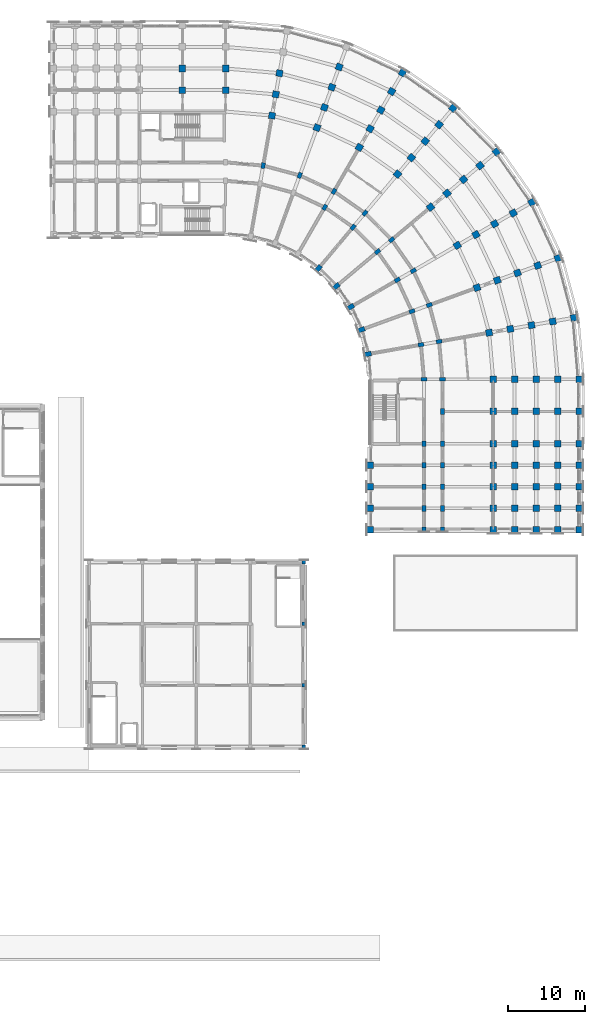
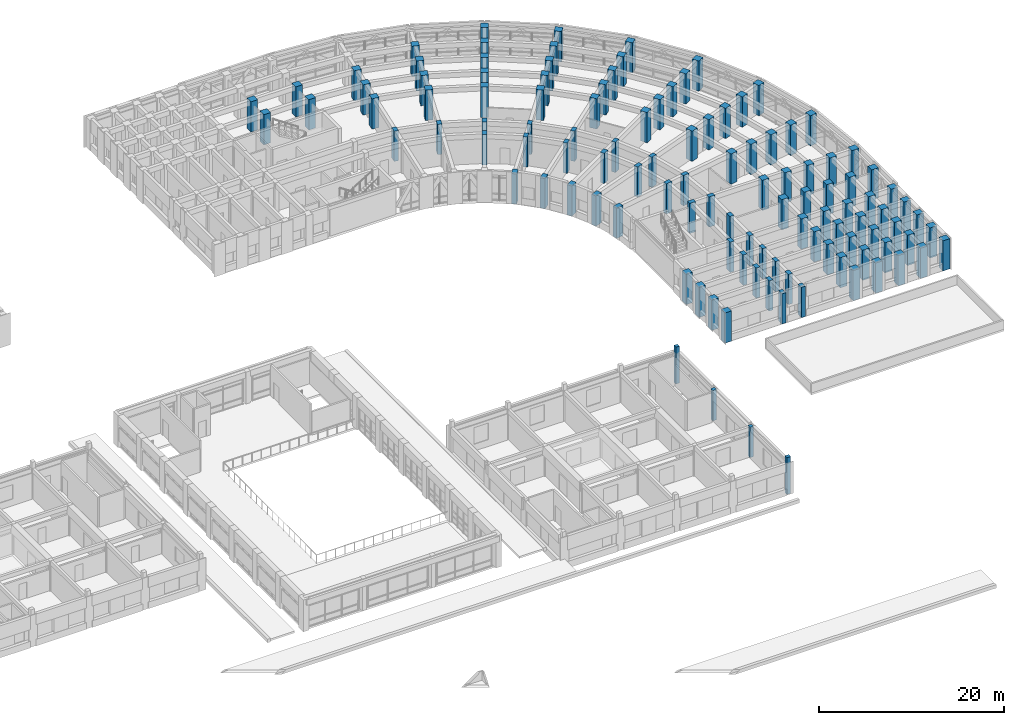
# One storey, part 3 of 97: 116 columns.
"""IFC4 building model written with IfcOpenShell, lengths in metres."""

from ifc_helpers import new_model, si_unit, direction, frame, origin, origin_2d, place, context, subcontext, project, spatial, rectangle, extrude, material, material_profile, profile_set, type_object, element, save


model = new_model("IFC4")

# Units and contexts
model_context = context("Model", 3, precision=1e-05, world=origin(), true_north=direction((0.0, 1.0)))
body_context = subcontext(model_context, "Body", "Model", "MODEL_VIEW")
ifc_project = project(units=[si_unit("LENGTHUNIT", "METRE"), si_unit("AREAUNIT", "SQUARE_METRE"), si_unit("VOLUMEUNIT", "CUBIC_METRE"), si_unit("PLANEANGLEUNIT", "RADIAN"), si_unit("MASSUNIT", "GRAM", prefix="KILO")], contexts=[model_context])

# Site, building, storey
site_placement = place(None, origin())
site = spatial("IfcSite", under=ifc_project, at=site_placement, CompositionType="ELEMENT")
building_placement = place(site_placement, origin())
building = spatial("IfcBuilding", under=site, at=building_placement, Name="Kiranvali Square Residences", CompositionType="ELEMENT")
storey_placement = place(building_placement, frame((0.0, 0.0, 4.5)))
storey = spatial("IfcBuildingStorey", under=building, at=storey_placement, Name="L01", CompositionType="ELEMENT", Elevation=4.5)

# Columns
ifc_material_1 = material(Name="Concrete M40 (40 MPa)", Category="concrete")
ifc_material_profile_1 = material_profile(ifc_material_1, rectangle(XDim=0.449951171875, YDim=0.449951171875, at=origin_2d()), Name="RC 450x450")
ifc_profile_set_1 = profile_set([ifc_material_profile_1], Name="Concrete M40 (40 MPa)")
column_type_1 = type_object("IfcColumnType", Name="COL-M40-450", PredefinedType="COLUMN", material=ifc_profile_set_1)
column_1_placement = place(storey_placement, frame((130.0, 40.0, 0.0), z_axis=(0.0, 0.0, 1.0), x_axis=(1.0, 0.0, 0.0)))
element("IfcColumn", 1, at=column_1_placement, inside=storey, type_object=column_type_1, Name="Southeast Square Retail Pavilion L01 column 4-0", PredefinedType="COLUMN", context=body_context, shape_type="SweptSolid", body=[
    extrude(rectangle(XDim=0.449951171875, YDim=0.449951171875, at=origin_2d()), origin(), (0.0, 0.0, 1.0), 4.85009765625),
])
for number, where, z_axis, x_axis, name in (
    (2, (130.0, 48.0, 0.0), (0.0, 0.0, 1.0), (1.0, 0.0, 0.0), "Southeast Square Retail Pavilion L01 column 4-1"),
    (3, (130.0, 56.0, 0.0), (0.0, 0.0, 1.0), (1.0, 0.0, 0.0), "Southeast Square Retail Pavilion L01 column 4-2"),
):
    element("IfcColumn", number, at=place(storey_placement, frame(where, z_axis=z_axis, x_axis=x_axis)), inside=storey, type_object=column_type_1, Name=name, PredefinedType="COLUMN", context=body_context, shape_type="SweptSolid", body=[
        extrude(rectangle(XDim=0.449951171875, YDim=0.449951171875, at=origin_2d()), origin(), (0.0, 0.0, 1.0), 4.0),
    ])
column_2_placement = place(storey_placement, frame((130.0, 64.0, 0.0), z_axis=(0.0, 0.0, 1.0), x_axis=(1.0, 0.0, 0.0)))
element("IfcColumn", 4, at=column_2_placement, inside=storey, type_object=column_type_1, Name="Southeast Square Retail Pavilion L01 column 4-3", PredefinedType="COLUMN", context=body_context, shape_type="SweptSolid", body=[
    extrude(rectangle(XDim=0.449951171875, YDim=0.449951171875, at=origin_2d()), origin(), (0.0, 0.0, 1.0), 4.85009765625),
])
ifc_material_2 = material(Name="Concrete M45 (45 MPa)", Category="concrete")
ifc_material_profile_2 = material_profile(ifc_material_2, rectangle(XDim=0.5, YDim=0.75, at=origin_2d()), Name="RC 750x500")
ifc_profile_set_2 = profile_set([ifc_material_profile_2], Name="Concrete M45 (45 MPa)")
column_type_2 = type_object("IfcColumnType", Name="COL-M45-750x500", PredefinedType="COLUMN", material=ifc_profile_set_2)
for number, where, z_axis, x_axis, name in (
    (5, (124.69677734375, 115.571533203125, 0.0), (0.0, 0.0, 1.0), (-0.984807753012, 0.173648177667, 0.0), "Block B L01 radial column A01-R2"),
    (6, (129.445068359375, 114.29931640625, 0.0), (0.0, 0.0, 1.0), (-0.939692620786, 0.342020143326, 0.0), "Block B L01 radial column A02-R2"),
    (7, (132.699951171875, 110.1435546875, 0.0), (0.0, 0.0, 1.0), (-0.866025403784, 0.5, 0.0), "Block B L01 radial column A03-R1"),
    (8, (133.89990234375, 112.221923828125, 0.0), (0.0, 0.0, 1.0), (-0.866025403784, 0.5, 0.0), "Block B L01 radial column A03-R2"),
    (9, (136.384033203125, 107.56396484375, 0.0), (0.0, 0.0, 1.0), (-0.766044443119, 0.642787609687, 0.0), "Block B L01 radial column A04-R1"),
    (10, (137.926513671875, 109.40234375, 0.0), (0.0, 0.0, 1.0), (-0.766044443119, 0.642787609687, 0.0), "Block B L01 radial column A04-R2"),
    (11, (139.56396484375, 104.384033203125, 0.0), (0.0, 0.0, 1.0), (-0.642787609687, 0.766044443119, 0.0), "Block B L01 radial column A05-R1"),
    (12, (141.40234375, 105.926513671875, 0.0), (0.0, 0.0, 1.0), (-0.642787609687, 0.766044443119, 0.0), "Block B L01 radial column A05-R2"),
    (13, (142.1435546875, 100.699951171875, 0.0), (0.0, 0.0, 1.0), (-0.5, 0.866025403784, 0.0), "Block B L01 radial column A06-R1"),
    (14, (144.221923828125, 101.89990234375, 0.0), (0.0, 0.0, 1.0), (-0.5, 0.866025403784, 0.0), "Block B L01 radial column A06-R2"),
    (15, (144.044189453125, 96.6240234375, 0.0), (0.0, 0.0, 1.0), (-0.342020143326, 0.939692620786, 0.0), "Block B L01 radial column A07-R1"),
    (16, (146.29931640625, 97.445068359375, 0.0), (0.0, 0.0, 1.0), (-0.342020143326, 0.939692620786, 0.0), "Block B L01 radial column A07-R2"),
    (17, (145.2080078125, 92.280029296875, 0.0), (0.0, 0.0, 1.0), (-0.173648177667, 0.984807753012, 0.0), "Block B L01 radial column A08-R1"),
    (18, (147.571533203125, 92.69677734375, 0.0), (0.0, 0.0, 1.0), (-0.173648177667, 0.984807753012, 0.0), "Block B L01 radial column A08-R2"),
    (19, (145.60009765625, 87.800048828125, 0.0), (0.0, 0.0, 1.0), (0.0, 1.0, 0.0), "Block B L01 radial column A09-R1"),
    (20, (148.0, 87.800048828125, 0.0), (0.0, 0.0, 1.0), (0.0, 1.0, 0.0), "Block B L01 radial column A09-R2"),
    (21, (148.0, 83.60009765625, 0.0), (0.0, 0.0, 1.0), (1.0, 0.0, 0.0), "Block B L01 Arm 2 mid-core column V0-R2"),
    (22, (145.60009765625, 79.39990234375, 0.0), (0.0, 0.0, 1.0), (1.0, 0.0, 0.0), "Block B L01 Arm 2 column V1-R1"),
    (23, (148.0, 79.39990234375, 0.0), (0.0, 0.0, 1.0), (1.0, 0.0, 0.0), "Block B L01 Arm 2 column V1-R2"),
    (24, (145.60009765625, 76.60009765625, 0.0), (0.0, 0.0, 1.0), (1.0, 0.0, 0.0), "Block B L01 Arm 2 column V2-R1"),
    (25, (148.0, 76.60009765625, 0.0), (0.0, 0.0, 1.0), (1.0, 0.0, 0.0), "Block B L01 Arm 2 column V2-R2"),
    (26, (145.60009765625, 73.800048828125, 0.0), (0.0, 0.0, 1.0), (1.0, 0.0, 0.0), "Block B L01 Arm 2 column V3-R1"),
    (27, (148.0, 73.800048828125, 0.0), (0.0, 0.0, 1.0), (1.0, 0.0, 0.0), "Block B L01 Arm 2 column V3-R2"),
    (28, (145.60009765625, 71.0, 0.0), (0.0, 0.0, 1.0), (1.0, 0.0, 0.0), "Block B L01 Arm 2 column V4-R1"),
    (29, (148.0, 71.0, 0.0), (0.0, 0.0, 1.0), (1.0, 0.0, 0.0), "Block B L01 Arm 2 column V4-R2"),
    (30, (145.60009765625, 68.199951171875, 0.0), (0.0, 0.0, 1.0), (1.0, 0.0, 0.0), "Block B L01 Arm 2 column V5-R1"),
    (31, (148.0, 68.199951171875, 0.0), (0.0, 0.0, 1.0), (1.0, 0.0, 0.0), "Block B L01 Arm 2 column V5-R2"),
):
    element("IfcColumn", number, at=place(storey_placement, frame(where, z_axis=z_axis, x_axis=x_axis)), inside=storey, type_object=column_type_2, Name=name, PredefinedType="COLUMN", context=body_context, shape_type="SweptSolid", body=[
        extrude(rectangle(XDim=0.5, YDim=0.75, at=origin_2d()), origin(), (0.0, 0.0, 1.0), 3.97998046875),
    ])
ifc_material_3 = material(Name="Concrete M50 (50 MPa)", Category="concrete")
ifc_material_profile_3 = material_profile(ifc_material_3, rectangle(XDim=0.85009765625, YDim=0.85009765625, at=origin_2d()), Name="RC 850x850")
ifc_profile_set_3 = profile_set([ifc_material_profile_3], Name="Concrete M50 (50 MPa)")
column_type_3 = type_object("IfcColumnType", Name="COL-M50-850", PredefinedType="COLUMN", material=ifc_profile_set_3)
for number, where, z_axis, x_axis, name in (
    (32, (119.800048828125, 125.39990234375, 0.0), (0.0, 0.0, 1.0), (1.0, 0.0, 0.0), "Block B L01 radial column A00-R4"),
    (33, (119.800048828125, 128.199951171875, 0.0), (0.0, 0.0, 1.0), (1.0, 0.0, 0.0), "Block B L01 radial column A00-R5"),
    (34, (125.843017578125, 122.0712890625, 0.0), (0.0, 0.0, 1.0), (-0.984807753012, 0.173648177667, 0.0), "Block B L01 radial column A01-R3"),
    (35, (126.3291015625, 124.828857421875, 0.0), (0.0, 0.0, 1.0), (-0.984807753012, 0.173648177667, 0.0), "Block B L01 radial column A01-R4"),
    (36, (126.8154296875, 127.586181640625, 0.0), (0.0, 0.0, 1.0), (-0.984807753012, 0.173648177667, 0.0), "Block B L01 radial column A01-R5"),
    (37, (131.702392578125, 120.501220703125, 0.0), (0.0, 0.0, 1.0), (-0.939692620786, 0.342020143326, 0.0), "Block B L01 radial column A02-R3"),
    (38, (132.659912109375, 123.13232421875, 0.0), (0.0, 0.0, 1.0), (-0.939692620786, 0.342020143326, 0.0), "Block B L01 radial column A02-R4"),
    (39, (133.61767578125, 125.763671875, 0.0), (0.0, 0.0, 1.0), (-0.939692620786, 0.342020143326, 0.0), "Block B L01 radial column A02-R5"),
    (40, (134.5751953125, 128.394775390625, 0.0), (0.0, 0.0, 1.0), (-0.939692620786, 0.342020143326, 0.0), "Block B L01 radial column A02-R6"),
    (41, (137.199951171875, 117.937744140625, 0.0), (0.0, 0.0, 1.0), (-0.866025403784, 0.5, 0.0), "Block B L01 radial column A03-R3"),
    (42, (138.60009765625, 120.362548828125, 0.0), (0.0, 0.0, 1.0), (-0.866025403784, 0.5, 0.0), "Block B L01 radial column A03-R4"),
    (43, (140.0, 122.787353515625, 0.0), (0.0, 0.0, 1.0), (-0.866025403784, 0.5, 0.0), "Block B L01 radial column A03-R5"),
    (44, (141.39990234375, 125.21240234375, 0.0), (0.0, 0.0, 1.0), (-0.866025403784, 0.5, 0.0), "Block B L01 radial column A03-R6"),
    (45, (142.800048828125, 127.63720703125, 0.0), (0.0, 0.0, 1.0), (-0.866025403784, 0.5, 0.0), "Block B L01 radial column A03-R7"),
    (46, (142.1689453125, 114.458251953125, 0.0), (0.0, 0.0, 1.0), (-0.766044443119, 0.642787609687, 0.0), "Block B L01 radial column A04-R3"),
    (47, (143.96875, 116.603271484375, 0.0), (0.0, 0.0, 1.0), (-0.766044443119, 0.642787609687, 0.0), "Block B L01 radial column A04-R4"),
    (48, (145.7685546875, 118.748291015625, 0.0), (0.0, 0.0, 1.0), (-0.766044443119, 0.642787609687, 0.0), "Block B L01 radial column A04-R5"),
    (49, (147.568359375, 120.89306640625, 0.0), (0.0, 0.0, 1.0), (-0.766044443119, 0.642787609687, 0.0), "Block B L01 radial column A04-R6"),
    (50, (149.3681640625, 123.0380859375, 0.0), (0.0, 0.0, 1.0), (-0.766044443119, 0.642787609687, 0.0), "Block B L01 radial column A04-R7"),
    (51, (146.458251953125, 110.1689453125, 0.0), (0.0, 0.0, 1.0), (-0.642787609687, 0.766044443119, 0.0), "Block B L01 radial column A05-R3"),
    (52, (148.603271484375, 111.96875, 0.0), (0.0, 0.0, 1.0), (-0.642787609687, 0.766044443119, 0.0), "Block B L01 radial column A05-R4"),
    (53, (150.748291015625, 113.7685546875, 0.0), (0.0, 0.0, 1.0), (-0.642787609687, 0.766044443119, 0.0), "Block B L01 radial column A05-R5"),
    (54, (152.89306640625, 115.568359375, 0.0), (0.0, 0.0, 1.0), (-0.642787609687, 0.766044443119, 0.0), "Block B L01 radial column A05-R6"),
    (55, (155.0380859375, 117.3681640625, 0.0), (0.0, 0.0, 1.0), (-0.642787609687, 0.766044443119, 0.0), "Block B L01 radial column A05-R7"),
    (56, (149.937744140625, 105.199951171875, 0.0), (0.0, 0.0, 1.0), (-0.5, 0.866025403784, 0.0), "Block B L01 radial column A06-R3"),
    (57, (152.362548828125, 106.60009765625, 0.0), (0.0, 0.0, 1.0), (-0.5, 0.866025403784, 0.0), "Block B L01 radial column A06-R4"),
    (58, (154.787353515625, 108.0, 0.0), (0.0, 0.0, 1.0), (-0.5, 0.866025403784, 0.0), "Block B L01 radial column A06-R5"),
    (59, (157.21240234375, 109.39990234375, 0.0), (0.0, 0.0, 1.0), (-0.5, 0.866025403784, 0.0), "Block B L01 radial column A06-R6"),
    (60, (159.63720703125, 110.800048828125, 0.0), (0.0, 0.0, 1.0), (-0.5, 0.866025403784, 0.0), "Block B L01 radial column A06-R7"),
    (61, (152.501220703125, 99.702392578125, 0.0), (0.0, 0.0, 1.0), (-0.342020143326, 0.939692620786, 0.0), "Block B L01 radial column A07-R3"),
    (62, (155.13232421875, 100.659912109375, 0.0), (0.0, 0.0, 1.0), (-0.342020143326, 0.939692620786, 0.0), "Block B L01 radial column A07-R4"),
    (63, (157.763671875, 101.61767578125, 0.0), (0.0, 0.0, 1.0), (-0.342020143326, 0.939692620786, 0.0), "Block B L01 radial column A07-R5"),
    (64, (160.394775390625, 102.5751953125, 0.0), (0.0, 0.0, 1.0), (-0.342020143326, 0.939692620786, 0.0), "Block B L01 radial column A07-R6"),
    (65, (163.02587890625, 103.532958984375, 0.0), (0.0, 0.0, 1.0), (-0.342020143326, 0.939692620786, 0.0), "Block B L01 radial column A07-R7"),
    (66, (154.0712890625, 93.843017578125, 0.0), (0.0, 0.0, 1.0), (-0.173648177667, 0.984807753012, 0.0), "Block B L01 radial column A08-R3"),
    (67, (156.828857421875, 94.3291015625, 0.0), (0.0, 0.0, 1.0), (-0.173648177667, 0.984807753012, 0.0), "Block B L01 radial column A08-R4"),
    (68, (159.586181640625, 94.8154296875, 0.0), (0.0, 0.0, 1.0), (-0.173648177667, 0.984807753012, 0.0), "Block B L01 radial column A08-R5"),
    (69, (162.34375, 95.301513671875, 0.0), (0.0, 0.0, 1.0), (-0.173648177667, 0.984807753012, 0.0), "Block B L01 radial column A08-R6"),
    (70, (165.10107421875, 95.787841796875, 0.0), (0.0, 0.0, 1.0), (-0.173648177667, 0.984807753012, 0.0), "Block B L01 radial column A08-R7"),
    (71, (154.60009765625, 87.800048828125, 0.0), (0.0, 0.0, 1.0), (0.0, 1.0, 0.0), "Block B L01 radial column A09-R3"),
    (72, (157.39990234375, 87.800048828125, 0.0), (0.0, 0.0, 1.0), (0.0, 1.0, 0.0), "Block B L01 radial column A09-R4"),
    (73, (160.199951171875, 87.800048828125, 0.0), (0.0, 0.0, 1.0), (0.0, 1.0, 0.0), "Block B L01 radial column A09-R5"),
    (74, (163.0, 87.800048828125, 0.0), (0.0, 0.0, 1.0), (0.0, 1.0, 0.0), "Block B L01 radial column A09-R6"),
    (75, (165.800048828125, 87.800048828125, 0.0), (0.0, 0.0, 1.0), (0.0, 1.0, 0.0), "Block B L01 radial column A09-R7"),
    (76, (114.199951171875, 125.39990234375, 0.0), (0.0, 0.0, 1.0), (1.0, 0.0, 0.0), "Block B L01 core-front column U0-R4"),
    (77, (114.199951171875, 128.199951171875, 0.0), (0.0, 0.0, 1.0), (1.0, 0.0, 0.0), "Block B L01 core-front column U0-R5"),
    (78, (154.60009765625, 83.60009765625, 0.0), (0.0, 0.0, 1.0), (1.0, 0.0, 0.0), "Block B L01 Arm 2 mid-core column V0-R3"),
    (79, (157.39990234375, 83.60009765625, 0.0), (0.0, 0.0, 1.0), (1.0, 0.0, 0.0), "Block B L01 Arm 2 mid-core column V0-R4"),
    (80, (160.199951171875, 83.60009765625, 0.0), (0.0, 0.0, 1.0), (1.0, 0.0, 0.0), "Block B L01 Arm 2 mid-core column V0-R5"),
    (81, (163.0, 83.60009765625, 0.0), (0.0, 0.0, 1.0), (1.0, 0.0, 0.0), "Block B L01 Arm 2 mid-core column V0-R6"),
    (82, (165.800048828125, 83.60009765625, 0.0), (0.0, 0.0, 1.0), (1.0, 0.0, 0.0), "Block B L01 Arm 2 mid-core column V0-R7"),
    (83, (154.60009765625, 79.39990234375, 0.0), (0.0, 0.0, 1.0), (1.0, 0.0, 0.0), "Block B L01 Arm 2 column V1-R3"),
    (84, (157.39990234375, 79.39990234375, 0.0), (0.0, 0.0, 1.0), (1.0, 0.0, 0.0), "Block B L01 Arm 2 column V1-R4"),
    (85, (160.199951171875, 79.39990234375, 0.0), (0.0, 0.0, 1.0), (1.0, 0.0, 0.0), "Block B L01 Arm 2 column V1-R5"),
    (86, (163.0, 79.39990234375, 0.0), (0.0, 0.0, 1.0), (1.0, 0.0, 0.0), "Block B L01 Arm 2 column V1-R6"),
    (87, (165.800048828125, 79.39990234375, 0.0), (0.0, 0.0, 1.0), (1.0, 0.0, 0.0), "Block B L01 Arm 2 column V1-R7"),
    (88, (138.60009765625, 76.60009765625, 0.0), (0.0, 0.0, 1.0), (1.0, 0.0, 0.0), "Block B L01 Arm 2 column V2-R0"),
    (89, (154.60009765625, 76.60009765625, 0.0), (0.0, 0.0, 1.0), (1.0, 0.0, 0.0), "Block B L01 Arm 2 column V2-R3"),
    (90, (157.39990234375, 76.60009765625, 0.0), (0.0, 0.0, 1.0), (1.0, 0.0, 0.0), "Block B L01 Arm 2 column V2-R4"),
    (91, (160.199951171875, 76.60009765625, 0.0), (0.0, 0.0, 1.0), (1.0, 0.0, 0.0), "Block B L01 Arm 2 column V2-R5"),
    (92, (163.0, 76.60009765625, 0.0), (0.0, 0.0, 1.0), (1.0, 0.0, 0.0), "Block B L01 Arm 2 column V2-R6"),
    (93, (165.800048828125, 76.60009765625, 0.0), (0.0, 0.0, 1.0), (1.0, 0.0, 0.0), "Block B L01 Arm 2 column V2-R7"),
    (94, (138.60009765625, 73.800048828125, 0.0), (0.0, 0.0, 1.0), (1.0, 0.0, 0.0), "Block B L01 Arm 2 column V3-R0"),
    (95, (154.60009765625, 73.800048828125, 0.0), (0.0, 0.0, 1.0), (1.0, 0.0, 0.0), "Block B L01 Arm 2 column V3-R3"),
    (96, (157.39990234375, 73.800048828125, 0.0), (0.0, 0.0, 1.0), (1.0, 0.0, 0.0), "Block B L01 Arm 2 column V3-R4"),
    (97, (160.199951171875, 73.800048828125, 0.0), (0.0, 0.0, 1.0), (1.0, 0.0, 0.0), "Block B L01 Arm 2 column V3-R5"),
    (98, (163.0, 73.800048828125, 0.0), (0.0, 0.0, 1.0), (1.0, 0.0, 0.0), "Block B L01 Arm 2 column V3-R6"),
    (99, (165.800048828125, 73.800048828125, 0.0), (0.0, 0.0, 1.0), (1.0, 0.0, 0.0), "Block B L01 Arm 2 column V3-R7"),
    (100, (138.60009765625, 71.0, 0.0), (0.0, 0.0, 1.0), (1.0, 0.0, 0.0), "Block B L01 Arm 2 column V4-R0"),
    (101, (154.60009765625, 71.0, 0.0), (0.0, 0.0, 1.0), (1.0, 0.0, 0.0), "Block B L01 Arm 2 column V4-R3"),
    (102, (157.39990234375, 71.0, 0.0), (0.0, 0.0, 1.0), (1.0, 0.0, 0.0), "Block B L01 Arm 2 column V4-R4"),
    (103, (160.199951171875, 71.0, 0.0), (0.0, 0.0, 1.0), (1.0, 0.0, 0.0), "Block B L01 Arm 2 column V4-R5"),
    (104, (163.0, 71.0, 0.0), (0.0, 0.0, 1.0), (1.0, 0.0, 0.0), "Block B L01 Arm 2 column V4-R6"),
    (105, (165.800048828125, 71.0, 0.0), (0.0, 0.0, 1.0), (1.0, 0.0, 0.0), "Block B L01 Arm 2 column V4-R7"),
    (106, (138.60009765625, 68.199951171875, 0.0), (0.0, 0.0, 1.0), (1.0, 0.0, 0.0), "Block B L01 Arm 2 column V5-R0"),
    (107, (154.60009765625, 68.199951171875, 0.0), (0.0, 0.0, 1.0), (1.0, 0.0, 0.0), "Block B L01 Arm 2 column V5-R3"),
    (108, (157.39990234375, 68.199951171875, 0.0), (0.0, 0.0, 1.0), (1.0, 0.0, 0.0), "Block B L01 Arm 2 column V5-R4"),
    (109, (160.199951171875, 68.199951171875, 0.0), (0.0, 0.0, 1.0), (1.0, 0.0, 0.0), "Block B L01 Arm 2 column V5-R5"),
    (110, (163.0, 68.199951171875, 0.0), (0.0, 0.0, 1.0), (1.0, 0.0, 0.0), "Block B L01 Arm 2 column V5-R6"),
    (111, (165.800048828125, 68.199951171875, 0.0), (0.0, 0.0, 1.0), (1.0, 0.0, 0.0), "Block B L01 Arm 2 column V5-R7"),
):
    element("IfcColumn", number, at=place(storey_placement, frame(where, z_axis=z_axis, x_axis=x_axis)), inside=storey, type_object=column_type_3, Name=name, PredefinedType="COLUMN", context=body_context, shape_type="SweptSolid", body=[
        extrude(rectangle(XDim=0.85009765625, YDim=0.85009765625, at=origin_2d()), origin(), (0.0, 0.0, 1.0), 3.97998046875),
    ])
ifc_material_profile_4 = material_profile(ifc_material_3, rectangle(XDim=0.60009765625, YDim=0.89990234375, at=origin_2d()), Name="RC 900x600")
ifc_profile_set_4 = profile_set([ifc_material_profile_4], Name="Concrete M50 (50 MPa)")
column_type_4 = type_object("IfcColumnType", Name="COL-M50-900x600", PredefinedType="COLUMN", material=ifc_profile_set_4)
for number, where, z_axis, x_axis, name in (
    (112, (131.884521484375, 102.20166015625, 0.0), (0.0, 0.0, 1.0), (-0.766044443119, 0.642787609687, 0.0), "Block B L01 radial column A04-R0"),
    (113, (134.20166015625, 99.884521484375, 0.0), (0.0, 0.0, 1.0), (-0.642787609687, 0.766044443119, 0.0), "Block B L01 radial column A05-R0"),
    (114, (136.081298828125, 97.199951171875, 0.0), (0.0, 0.0, 1.0), (-0.5, 0.866025403784, 0.0), "Block B L01 radial column A06-R0"),
    (115, (137.46630859375, 94.22998046875, 0.0), (0.0, 0.0, 1.0), (-0.342020143326, 0.939692620786, 0.0), "Block B L01 radial column A07-R0"),
    (116, (138.314453125, 91.064697265625, 0.0), (0.0, 0.0, 1.0), (-0.173648177667, 0.984807753012, 0.0), "Block B L01 radial column A08-R0"),
):
    element("IfcColumn", number, at=place(storey_placement, frame(where, z_axis=z_axis, x_axis=x_axis)), inside=storey, type_object=column_type_4, Name=name, PredefinedType="COLUMN", context=body_context, shape_type="SweptSolid", body=[
        extrude(rectangle(XDim=0.60009765625, YDim=0.89990234375, at=origin_2d()), origin(), (0.0, 0.0, 1.0), 3.97998046875),
    ])

save(model, "model.ifc")
